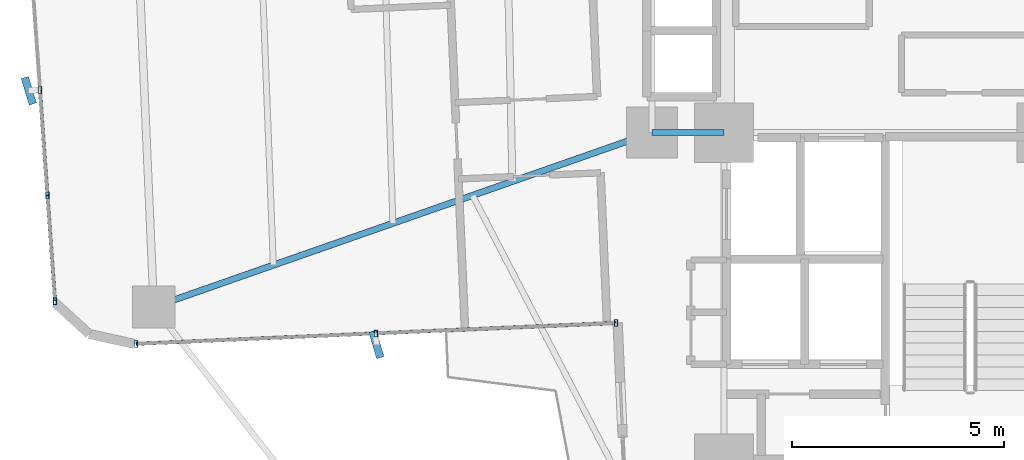
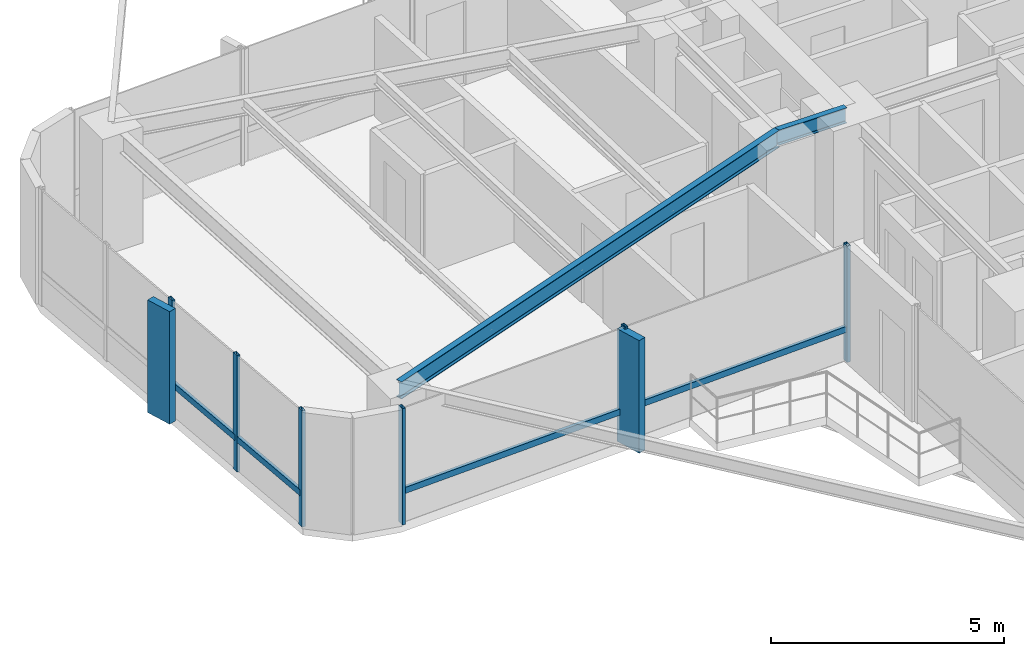
# One storey, part 8 of 27: 12 members, 2 beams, 2 elements without a shape of their own.
"""IFC4 building model written with IfcOpenShell, lengths in metres."""

from ifc_helpers import new_model, si_unit, direction, frame, origin, origin_2d, place, context, subcontext, project, spatial, rectangle, hollow_rectangle, i_section, extrude, source, transform, mapped, material, material_profile, profile_set, type_object, element, aggregate, save


model = new_model("IFC4")

# Units and contexts
model_context = context("Model", 3, precision=1e-05, world=origin(), true_north=direction((0.0, 1.0)))
body_context = subcontext(model_context, "Body", "Model", "MODEL_VIEW")
ifc_project = project(units=[si_unit("LENGTHUNIT", "METRE"), si_unit("AREAUNIT", "SQUARE_METRE"), si_unit("VOLUMEUNIT", "CUBIC_METRE"), si_unit("PLANEANGLEUNIT", "RADIAN"), si_unit("MASSUNIT", "GRAM", prefix="KILO")], contexts=[model_context])

# Site, building, storey
site_placement = place(None, origin())
site = spatial("IfcSite", under=ifc_project, at=site_placement, CompositionType="ELEMENT")
building_placement = place(site_placement, origin())
building = spatial("IfcBuilding", under=site, at=building_placement, Name="Sahyath Konkavel Grand Hotel", CompositionType="ELEMENT")
storey_placement = place(building_placement, frame((0.0, 0.0, 103.60009765625)))
storey = spatial("IfcBuildingStorey", under=building, at=storey_placement, Name="L28", CompositionType="ELEMENT", Elevation=103.60009765625)

# Beams
ifc_material_1 = material(Name="Steel E350", Category="steel")
ifc_material_profile_1 = material_profile(ifc_material_1, i_section(OverallWidth=0.139892578125, OverallDepth=0.39990234375, WebThickness=0.0087890625, FlangeThickness=0.01611328125, FilletRadius=0.013916015625, at=origin_2d()), Name="ISMB 400")
ifc_profile_set_1 = profile_set([ifc_material_profile_1], Name="Steel E350")
beam_type_1 = type_object("IfcBeamType", Name="BM-ISMB400", PredefinedType="BEAM", material=ifc_profile_set_1)
shared_shape_1 = source(origin(), body_context, "Body", "SweptSolid", [
    extrude(i_section(OverallWidth=0.139892578125, OverallDepth=0.39990234375, WebThickness=0.0087890625, FlangeThickness=0.01611328125, FilletRadius=0.013916015625, at=origin_2d()), origin(), (0.0, 0.0, 1.0), 1.699951171875),
])
beam_1_placement = place(storey_placement, frame((-5.5, -2.39990234375, 2.849853515625), z_axis=(1.0, 0.0, 0.0), x_axis=(0.0, 1.0, 0.0)))
element("IfcBeam", 1, at=beam_1_placement, inside=storey, type_object=beam_type_1, Name="str:bm:L28:HB-SW", PredefinedType="BEAM", context=body_context, shape_type="MappedRepresentation", body=[
    mapped(shared_shape_1, transform((0.0, 0.0, 0.0), scale=1.0)),
])
ifc_material_profile_2 = material_profile(ifc_material_1, i_section(OverallWidth=0.14990234375, OverallDepth=0.449951171875, WebThickness=0.009521484375, FlangeThickness=0.017333984375, FilletRadius=0.014892578125, at=origin_2d()), Name="ISMB 450")
ifc_profile_set_2 = profile_set([ifc_material_profile_2], Name="Steel E350")
beam_type_2 = type_object("IfcBeamType", Name="BM-ISMB450", PredefinedType="BEAM", material=ifc_profile_set_2)
shared_shape_2 = source(origin(), body_context, "Body", "SweptSolid", [
    extrude(i_section(OverallWidth=0.14990234375, OverallDepth=0.449951171875, WebThickness=0.009521484375, FlangeThickness=0.017333984375, FilletRadius=0.014892578125, at=origin_2d()), origin(), (0.0, 0.0, 1.0), 12.430908203125),
])
beam_2_placement = place(storey_placement, frame((-5.5, -2.39990234375, 2.824951171875), z_axis=(-0.943819157235, -0.330462400941, 0.0), x_axis=(0.330462400941, -0.943819157235, 0.0)))
element("IfcBeam", 2, at=beam_2_placement, inside=storey, type_object=beam_type_2, Name="L28 Cruciform Radial Girder WB", PredefinedType="BEAM", context=body_context, shape_type="MappedRepresentation", body=[
    mapped(shared_shape_2, transform((0.0, 0.0, 0.0), scale=1.0)),
])

# Curtain wall, members
ifc_material_2 = material(Name="Anodised Bronze Aluminium & Low-E Glazing", Category="aluminium")
curtain_wall_type = type_object("IfcCurtainWallType", Name="CW-ZONE2", PredefinedType="NOTDEFINED", material=ifc_material_2)
curtain_wall_1_placement = place(storey_placement, origin())
curtain_wall_1 = element("IfcCurtainWall", 3, at=curtain_wall_1_placement, inside=storey, type_object=curtain_wall_type, Name="L28 Unitised Curtain Wall F20", PredefinedType="NOTDEFINED")
ifc_material_3 = material(Name="Anodised Bronze Aluminium", Category="aluminium")
ifc_material_profile_3 = material_profile(ifc_material_3, hollow_rectangle(XDim=0.080078125, YDim=0.159912109375, WallThickness=0.006103515625, at=origin_2d()), Name="RHS 160x80x6")
ifc_profile_set_3 = profile_set([ifc_material_profile_3], Name="Anodised Bronze Aluminium")
member_type_1 = type_object("IfcMemberType", Name="CW-TRN-160", PredefinedType="USERDEFINED", material=ifc_profile_set_3)
shared_shape_3 = source(origin(), body_context, "Body", "SweptSolid", [
    extrude(hollow_rectangle(XDim=0.080078125, YDim=0.159912109375, WallThickness=0.006103515625, at=origin_2d()), origin(), (0.0, 0.0, 1.0), 2.493408203125),
])
member_1_placement = place(storey_placement, frame((-19.91748046875, -1.39501953125, 0.849853515625), z_axis=(0.071574084062, -0.997435286367, 0.0), x_axis=(0.997435286367, 0.071574084062, 0.0)))
member_1 = element("IfcMember", 4, at=member_1_placement, type_object=member_type_1, Name="L28 Curtain Wall Transom F20-2-spandrel", ObjectType="TRANSOM", PredefinedType="USERDEFINED", context=body_context, shape_type="MappedRepresentation", body=[
    mapped(shared_shape_3, transform((0.0, 0.0, 0.0), scale=1.0)),
])
shared_shape_4 = source(origin(), body_context, "Body", "SweptSolid", [
    extrude(hollow_rectangle(XDim=0.080078125, YDim=0.159912109375, WallThickness=0.006103515625, at=origin_2d()), origin(), (0.0, 0.0, 1.0), 2.49365234375),
])
member_2_placement = place(storey_placement, frame((-19.739013671875, -3.882080078125, 0.849853515625), z_axis=(0.071567094714, -0.997435787885, 0.0), x_axis=(0.997435787885, 0.071567094714, 0.0)))
member_2 = element("IfcMember", 5, at=member_2_placement, type_object=member_type_1, Name="L28 Curtain Wall Transom F20-3-spandrel", ObjectType="TRANSOM", PredefinedType="USERDEFINED", context=body_context, shape_type="MappedRepresentation", body=[
    mapped(shared_shape_4, transform((0.0, 0.0, 0.0), scale=1.0)),
])

curtain_wall_2_placement = place(storey_placement, origin())
curtain_wall_2 = element("IfcCurtainWall", 6, at=curtain_wall_2_placement, inside=storey, type_object=curtain_wall_type, Name="L28 Unitised Curtain Wall F23", PredefinedType="NOTDEFINED")
shared_shape_5 = source(origin(), body_context, "Body", "SweptSolid", [
    extrude(hollow_rectangle(XDim=0.080078125, YDim=0.159912109375, WallThickness=0.006103515625, at=origin_2d()), origin(), (0.0, 0.0, 1.0), 5.659912109375),
])
member_3_placement = place(storey_placement, frame((-17.655029296875, -7.377197265625, 0.849853515625), z_axis=(0.999048655935, 0.043609437898, 0.0), x_axis=(-0.043609437898, 0.999048655935, 0.0)))
member_3 = element("IfcMember", 7, at=member_3_placement, type_object=member_type_1, Name="L28 Curtain Wall Transom F23-0-spandrel", ObjectType="TRANSOM", PredefinedType="USERDEFINED", context=body_context, shape_type="MappedRepresentation", body=[
    mapped(shared_shape_5, transform((0.0, 0.0, 0.0), scale=1.0)),
])
shared_shape_6 = source(origin(), body_context, "Body", "SweptSolid", [
    extrude(hollow_rectangle(XDim=0.080078125, YDim=0.159912109375, WallThickness=0.006103515625, at=origin_2d()), origin(), (0.0, 0.0, 1.0), 5.66015625),
])
member_4_placement = place(storey_placement, frame((-12.00048828125, -7.13037109375, 0.849853515625), z_axis=(0.9990468579, 0.043650609628, 0.0), x_axis=(-0.043650609628, 0.9990468579, 0.0)))
member_4 = element("IfcMember", 8, at=member_4_placement, type_object=member_type_1, Name="L28 Curtain Wall Transom F23-1-spandrel", ObjectType="TRANSOM", PredefinedType="USERDEFINED", context=body_context, shape_type="MappedRepresentation", body=[
    mapped(shared_shape_6, transform((0.0, 0.0, 0.0), scale=1.0)),
])

# Member
ifc_material_profile_4 = material_profile(ifc_material_3, hollow_rectangle(XDim=0.080078125, YDim=0.159912109375, WallThickness=0.006103515625, at=origin_2d()), Name="RHS 160x80x6")
ifc_profile_set_4 = profile_set([ifc_material_profile_4], Name="Anodised Bronze Aluminium")
member_type_2 = type_object("IfcMemberType", Name="CW-MUL-160", PredefinedType="MULLION", material=ifc_profile_set_4)
shared_shape_7 = source(origin(), body_context, "Body", "SweptSolid", [
    extrude(hollow_rectangle(XDim=0.080078125, YDim=0.159912109375, WallThickness=0.006103515625, at=origin_2d()), origin(), (0.0, 0.0, 1.0), 3.0498046875),
])
member_5_placement = place(storey_placement, frame((-19.91748046875, -1.39501953125, 0.0), z_axis=(0.0, 0.0, 1.0), x_axis=(1.0, 0.0, 0.0)))
member_5 = element("IfcMember", 9, at=member_5_placement, type_object=member_type_2, Name="L28 Curtain Wall Mullion F20-2", PredefinedType="MULLION", context=body_context, shape_type="MappedRepresentation", body=[
    mapped(shared_shape_7, transform((0.0, 0.0, 0.0), scale=1.0)),
])

member_6_placement = place(storey_placement, frame((-19.739013671875, -3.882080078125, 0.0), z_axis=(0.0, 0.0, 1.0), x_axis=(1.0, 0.0, 0.0)))
member_6 = element("IfcMember", 10, at=member_6_placement, type_object=member_type_2, Name="L28 Curtain Wall Mullion F20-3", PredefinedType="MULLION", context=body_context, shape_type="MappedRepresentation", body=[
    mapped(shared_shape_7, transform((0.0, 0.0, 0.0), scale=1.0)),
])

member_7_placement = place(storey_placement, frame((-19.560546875, -6.369384765625, 0.0), z_axis=(0.0, 0.0, 1.0), x_axis=(1.0, 0.0, 0.0)))
member_7 = element("IfcMember", 11, at=member_7_placement, type_object=member_type_2, Name="L28 Curtain Wall Mullion F20-4", PredefinedType="MULLION", context=body_context, shape_type="MappedRepresentation", body=[
    mapped(shared_shape_7, transform((0.0, 0.0, 0.0), scale=1.0)),
])

member_8_placement = place(storey_placement, frame((-17.655029296875, -7.377197265625, 0.0), z_axis=(0.0, 0.0, 1.0), x_axis=(1.0, 0.0, 0.0)))
member_8 = element("IfcMember", 12, at=member_8_placement, type_object=member_type_2, Name="L28 Curtain Wall Mullion F23-0", PredefinedType="MULLION", context=body_context, shape_type="MappedRepresentation", body=[
    mapped(shared_shape_7, transform((0.0, 0.0, 0.0), scale=1.0)),
])

member_9_placement = place(storey_placement, frame((-12.00048828125, -7.13037109375, 0.0), z_axis=(0.0, 0.0, 1.0), x_axis=(1.0, 0.0, 0.0)))
member_9 = element("IfcMember", 13, at=member_9_placement, type_object=member_type_2, Name="L28 Curtain Wall Mullion F23-1", PredefinedType="MULLION", context=body_context, shape_type="MappedRepresentation", body=[
    mapped(shared_shape_7, transform((0.0, 0.0, 0.0), scale=1.0)),
])

member_10_placement = place(storey_placement, frame((-6.345703125, -6.88330078125, 0.0), z_axis=(0.0, 0.0, 1.0), x_axis=(1.0, 0.0, 0.0)))
member_10 = element("IfcMember", 14, at=member_10_placement, type_object=member_type_2, Name="L28 Curtain Wall Mullion F23-2", PredefinedType="MULLION", context=body_context, shape_type="MappedRepresentation", body=[
    mapped(shared_shape_7, transform((0.0, 0.0, 0.0), scale=1.0)),
])

ifc_material_4 = material(Name="Warm Buff Sandstone Cladding on Concrete C50/60", Category="masonry")
ifc_material_profile_5 = material_profile(ifc_material_4, rectangle(XDim=0.179931640625, YDim=0.64990234375, at=origin_2d()), Name="FIN 180x650")
ifc_profile_set_5 = profile_set([ifc_material_profile_5], Name="Warm Buff Sandstone Cladding on Concrete C50/60")
member_type_3 = type_object("IfcMemberType", Name="FIN-SANDSTONE-650", PredefinedType="MULLION", material=ifc_profile_set_5)
shared_shape_8 = source(origin(), body_context, "Body", "SweptSolid", [
    extrude(rectangle(XDim=0.179931640625, YDim=0.64990234375, at=origin_2d()), origin(), (0.0, 0.0, 1.0), 2.9501953125),
])
member_11_placement = place(storey_placement, frame((-20.1767578125, -1.413818359375, 0.0498046875), z_axis=(0.0, 0.0, 1.0), x_axis=(0.957117481996, 0.289700061544, 0.0)))
member_11 = element("IfcMember", 15, at=member_11_placement, type_object=member_type_3, Name="L28 Sandstone Vertical Solar Fin FIN F20-2", PredefinedType="MULLION", context=body_context, shape_type="MappedRepresentation", body=[
    mapped(shared_shape_8, transform((0.0, 0.0, 0.0), scale=1.0)),
])

aggregate(curtain_wall_1, [member_5, member_11, member_6, member_7, member_1, member_2])

member_12_placement = place(storey_placement, frame((-11.989013671875, -7.39013671875, 0.0498046875), z_axis=(0.0, 0.0, 1.0), x_axis=(0.959264682049, 0.282508884416, 0.0)))
member_12 = element("IfcMember", 16, at=member_12_placement, type_object=member_type_3, Name="L28 Sandstone Vertical Solar Fin FIN F23-1", PredefinedType="MULLION", context=body_context, shape_type="MappedRepresentation", body=[
    mapped(shared_shape_8, transform((0.0, 0.0, 0.0), scale=1.0)),
])

aggregate(curtain_wall_2, [member_8, member_9, member_12, member_10, member_3, member_4])

save(model, "model.ifc")
